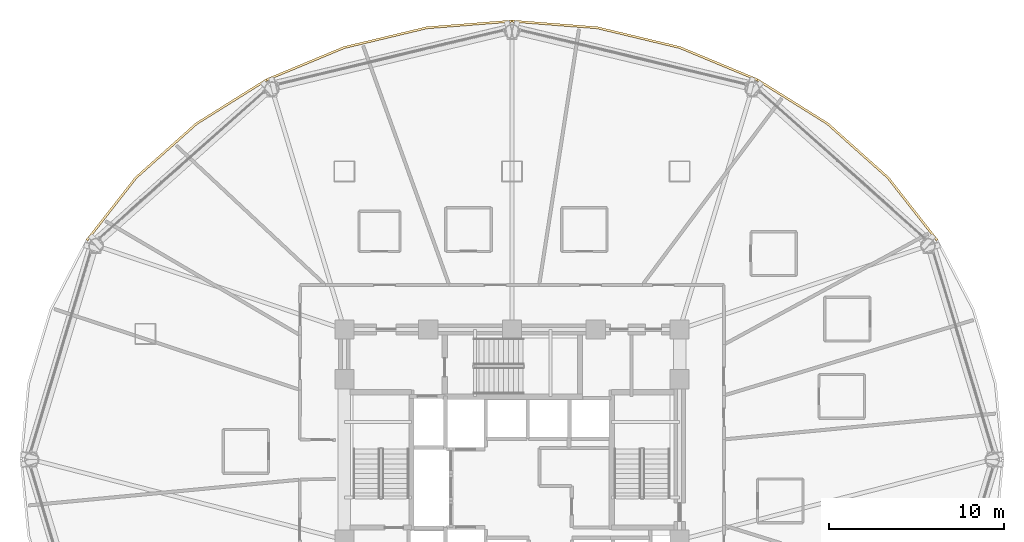
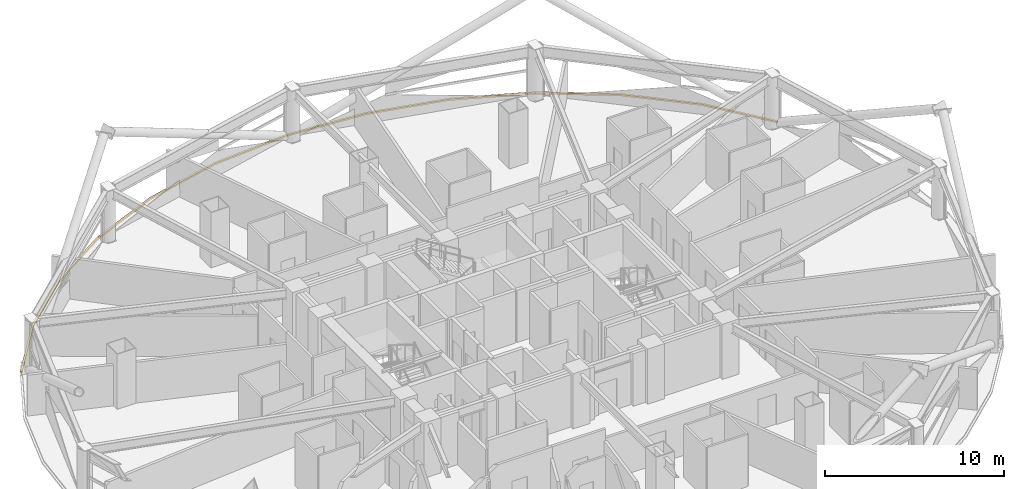
# One storey, part 30 of 30: 4 coverings.
"""IFC4 building model written with IfcOpenShell, lengths in metres."""

from ifc_helpers import new_model, si_unit, direction, frame, origin, place, context, subcontext, project, spatial, polyline, outline, extrude, material, layer, layer_set, type_object, element, save


model = new_model("IFC4")

# Units and contexts
model_context = context("Model", 3, precision=1e-05, world=origin(), true_north=direction((0.0, 1.0)))
body_context = subcontext(model_context, "Body", "Model", "MODEL_VIEW")
ifc_project = project(units=[si_unit("LENGTHUNIT", "METRE"), si_unit("AREAUNIT", "SQUARE_METRE"), si_unit("VOLUMEUNIT", "CUBIC_METRE"), si_unit("PLANEANGLEUNIT", "RADIAN"), si_unit("MASSUNIT", "GRAM", prefix="KILO")], contexts=[model_context])

# Site, building, storey
site_placement = place(None, origin())
site = spatial("IfcSite", under=ifc_project, at=site_placement, CompositionType="ELEMENT")
building_placement = place(site_placement, origin())
building = spatial("IfcBuilding", under=site, at=building_placement, Name="Vantalir Tower", CompositionType="ELEMENT")
storey_placement = place(building_placement, frame((0.0, 0.0, 79.5)))
storey = spatial("IfcBuildingStorey", under=building, at=storey_placement, Name="L19", CompositionType="ELEMENT", Elevation=79.5)

# Coverings
ifc_material = material(Name="Anodised champagne aluminium sill fascia", Category="aluminium")
ifc_layer = layer(ifc_material, 0.125)
ifc_layer_set = layer_set([ifc_layer], Name="Anodised champagne aluminium sill fascia")
covering_type = type_object("IfcCoveringType", Name="COV-SLAB-FASCIA-125", PredefinedType="CLADDING", material=ifc_layer_set)
covering_1_placement = place(storey_placement, frame((0.0, 0.0, -0.179931640625)))
element("IfcCovering", 1, at=covering_1_placement, inside=storey, type_object=covering_type, Name="L19 Perimeter Slab-Edge Sill Fascia 02", PredefinedType="CLADDING", context=body_context, shape_type="SweptSolid", body=[
    extrude(outline(polyline([(55.89990234375, 37.5849609375), (53.0830078125, 41.178955078125), (49.611083984375, 44.281005859375), (45.587890625, 46.798095703125), (45.52490234375, 46.68994140625), (49.530029296875, 44.18603515625), (52.988037109375, 41.09912109375), (55.7919921875, 37.52197265625), (55.89990234375, 37.5849609375)])), origin(), (0.0, 0.0, 1.0), 0.10498046875),
])
covering_2_placement = place(storey_placement, frame((0.0, 0.0, -0.179931640625)))
element("IfcCovering", 2, at=covering_2_placement, inside=storey, type_object=covering_type, Name="L19 Perimeter Slab-Edge Sill Fascia 03", PredefinedType="CLADDING", context=body_context, shape_type="SweptSolid", body=[
    extrude(outline(polyline([(45.587890625, 46.798095703125), (41.135986328125, 48.652099609375), (36.39306640625, 49.7880859375), (31.5, 50.169921875), (31.5, 50.044921875), (36.37109375, 49.6650390625), (41.093994140625, 48.534912109375), (45.52490234375, 46.68994140625), (45.587890625, 46.798095703125)])), origin(), (0.0, 0.0, 1.0), 0.10498046875),
])
covering_3_placement = place(storey_placement, frame((0.0, 0.0, -0.179931640625)))
element("IfcCovering", 3, at=covering_3_placement, inside=storey, type_object=covering_type, Name="L19 Perimeter Slab-Edge Sill Fascia 04", PredefinedType="CLADDING", context=body_context, shape_type="SweptSolid", body=[
    extrude(outline(polyline([(31.5, 50.169921875), (26.60693359375, 49.7880859375), (21.864013671875, 48.652099609375), (17.4130859375, 46.798095703125), (17.47509765625, 46.68994140625), (21.906005859375, 48.534912109375), (26.62890625, 49.6650390625), (31.5, 50.044921875), (31.5, 50.169921875)])), origin(), (0.0, 0.0, 1.0), 0.10498046875),
])
covering_4_placement = place(storey_placement, frame((0.0, 0.0, -0.179931640625)))
element("IfcCovering", 4, at=covering_4_placement, inside=storey, type_object=covering_type, Name="L19 Perimeter Slab-Edge Sill Fascia 05", PredefinedType="CLADDING", context=body_context, shape_type="SweptSolid", body=[
    extrude(outline(polyline([(17.4130859375, 46.798095703125), (13.388916015625, 44.281005859375), (9.9169921875, 41.178955078125), (7.10009765625, 37.5849609375), (7.2080078125, 37.52197265625), (10.011962890625, 41.09912109375), (13.469970703125, 44.18603515625), (17.47509765625, 46.68994140625), (17.4130859375, 46.798095703125)])), origin(), (0.0, 0.0, 1.0), 0.10498046875),
])

save(model, "model.ifc")
